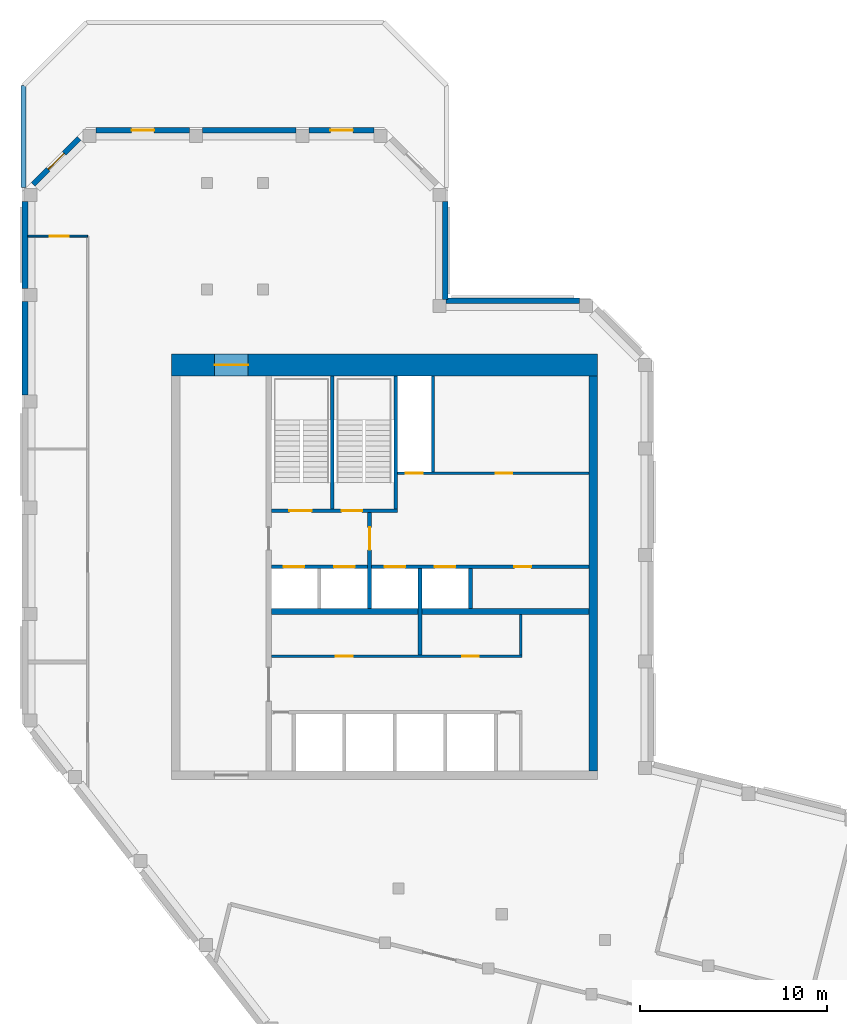
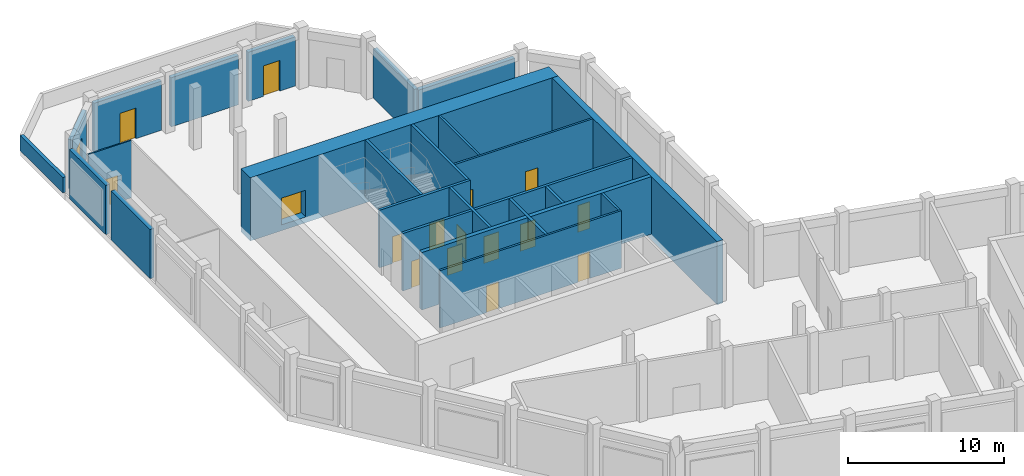
# One storey, part 4 of 6: 24 walls, 17 doors, 17 openings.
"""IFC4 building model written with IfcOpenShell, lengths in metres."""

import ifcopenshell
import ifcopenshell.guid

model = None  # the IFC model being written
_history = None  # IfcOwnerHistory: only IFC2X3 demands one
_inside = {}  # id of a spatial element -> (the spatial element, [elements in it])
_under = {}  # id of a project, library or spatial element -> (it, [spatial elements below it])
_declared = {}  # id of a project -> (the project, [libraries it declares])
_typed = {}  # id of a type object -> (the type object, [elements of that type])
_made_of = {}  # id of a material, layer set ... -> (it, [elements and type objects made of it])


def new_model(schema):
    """Start an empty IFC model of exactly this schema.

    Asked for "IFC4X3", IfcOpenShell would pick the latest addendum, in which some entities
    have other attributes; the version numbers below select the first issue.
    IFC2X3 requires an IfcOwnerHistory on every rooted entity: one is made here for all.
    """
    global model, _history
    if schema == "IFC4X3":
        model = ifcopenshell.file(schema_version=(4, 3, 0, 0))
    else:
        model = ifcopenshell.file(schema=schema)
    _inside.clear()
    _under.clear()
    _declared.clear()
    _typed.clear()
    _made_of.clear()
    _history = None
    if model.schema == "IFC2X3":
        org = make("IfcOrganization", Name="unknown")
        user = make(
            "IfcPersonAndOrganization",
            ThePerson=make("IfcPerson", FamilyName="unknown"),
            TheOrganization=org,
        )
        app = make(
            "IfcApplication",
            ApplicationDeveloper=org,
            Version="unknown",
            ApplicationFullName="unknown",
            ApplicationIdentifier="unknown",
        )
        _history = make(
            "IfcOwnerHistory",
            OwningUser=user,
            OwningApplication=app,
            ChangeAction="ADDED",
            CreationDate=0,
        )
    return model


def make(cls, **values):
    """One entity of the class cls with the attributes given. An attribute that is None is left unset."""
    return model.create_entity(
        cls, **{name: value for name, value in values.items() if value is not None}
    )


def rooted(cls, **values):
    """An entity with a GlobalId (a new one), such as an element, a storey or a relation."""
    return make(cls, GlobalId=ifcopenshell.guid.new(), OwnerHistory=_history, **values)


def si_unit(unit_type, name, prefix=None):
    """IfcSIUnit, for example si_unit("LENGTHUNIT", "METRE", prefix="MILLI")."""
    return make("IfcSIUnit", UnitType=unit_type, Prefix=prefix, Name=name)


def assignment(units):
    """IfcUnitAssignment: the units of a project."""
    return None if units is None else make("IfcUnitAssignment", Units=units)


def point(xyz):
    """IfcCartesianPoint."""
    return None if xyz is None else make("IfcCartesianPoint", Coordinates=xyz)


def direction(xyz):
    """IfcDirection."""
    return None if xyz is None else make("IfcDirection", DirectionRatios=xyz)


def frame(location, z_axis=None, x_axis=None):
    """IfcAxis2Placement3D, a coordinate frame: its origin and axes. An axis left out is left unset."""
    return make(
        "IfcAxis2Placement3D",
        Location=point(location),
        Axis=direction(z_axis),
        RefDirection=direction(x_axis),
    )


def frame_2d(location, x_axis=None):
    """IfcAxis2Placement2D, a coordinate frame in the plane: its origin and x axis."""
    return make(
        "IfcAxis2Placement2D", Location=point(location), RefDirection=direction(x_axis)
    )


def origin():
    """The frame at (0, 0, 0) with its axes left unset."""
    return frame((0.0, 0.0, 0.0))


def place(relative_to, where):
    """IfcLocalPlacement: puts the frame where relative to a parent placement (None: the world)."""
    return make(
        "IfcLocalPlacement", PlacementRelTo=relative_to, RelativePlacement=where
    )


def context(
    kind, dimensions, precision=None, world=None, true_north=None, identifier=None
):
    """IfcGeometricRepresentationContext, for example the 3D "Model" context."""
    return make(
        "IfcGeometricRepresentationContext",
        ContextIdentifier=identifier,
        ContextType=kind,
        CoordinateSpaceDimension=dimensions,
        Precision=precision,
        WorldCoordinateSystem=world,
        TrueNorth=true_north,
    )


def subcontext(parent, identifier, kind, view, scale=None):
    """IfcGeometricRepresentationSubContext, for example "Body" below "Model"."""
    return make(
        "IfcGeometricRepresentationSubContext",
        ContextIdentifier=identifier,
        ContextType=kind,
        ParentContext=parent,
        TargetScale=scale,
        TargetView=view,
    )


def project(units=None, contexts=None):
    """IfcProject with its units and contexts."""
    return rooted(
        "IfcProject",
        Name="project",
        RepresentationContexts=contexts,
        UnitsInContext=assignment(units),
    )


def spatial(cls, under=None, at=None, **own):
    """A site, building, storey or space (cls), placed at a placement, below another one or the project."""
    s = rooted(cls, ObjectPlacement=at, **own)
    if under is not None:
        _under.setdefault(under.id(), (under, []))[1].append(s)
    return s


def profile(cls, at=None, kind="AREA", **sizes):
    """A parametric profile (cls). Its sizes go by their IFC names, for example OverallWidth=200.0."""
    return make(cls, ProfileType=kind, Position=at, **sizes)


def rectangle(**sizes):
    """IfcRectangleProfileDef."""
    return profile("IfcRectangleProfileDef", **sizes)


def extrude(swept, where, along, depth):
    """IfcExtrudedAreaSolid: the profile swept, set in the frame where, extruded along a direction by depth."""
    return make(
        "IfcExtrudedAreaSolid",
        SweptArea=swept,
        Position=where,
        ExtrudedDirection=direction(along),
        Depth=depth,
    )


def shape(context_of_items, identifier, shape_type, items):
    """IfcShapeRepresentation: the items that make up one representation, for example the "Body"."""
    return make(
        "IfcShapeRepresentation",
        ContextOfItems=context_of_items,
        RepresentationIdentifier=identifier,
        RepresentationType=shape_type,
        Items=items,
    )


def material(Name=None, Category=None):
    """IfcMaterial."""
    return make("IfcMaterial", Name=Name, Category=Category)


def layer(
    of_material, thickness, ventilated=None, Name=None, Category=None, Priority=None
):
    """IfcMaterialLayer: one layer of a wall or slab, of a material (None: an air gap)."""
    return make(
        "IfcMaterialLayer",
        Material=of_material,
        LayerThickness=thickness,
        IsVentilated=ventilated,
        Name=Name,
        Category=Category,
        Priority=Priority,
    )


def layer_set(layers, Name=None):
    """IfcMaterialLayerSet."""
    return make("IfcMaterialLayerSet", MaterialLayers=layers, LayerSetName=Name)


def made_of(thing, what):
    """Note that an element or type object is made of a material, layer set ...; save() writes the relation."""
    if what is not None:
        _made_of.setdefault(what.id(), (what, []))[1].append(thing)
    return thing


def type_object(cls, material=None, **own):
    """A type object (cls), such as IfcWallType, which elements share."""
    return made_of(rooted(cls, **own), material)


def element(
    cls,
    number,
    at=None,
    inside=None,
    cuts=None,
    type_object=None,
    material=None,
    context=None,
    identifier="Body",
    shape_type=None,
    held_by="IfcProductDefinitionShape",
    body=None,
    shapes=None,
    **own,
):
    """One element of the class cls, such as IfcWall. Its Tag is "e" and its number.

    at: its placement. inside: the storey or other place that contains it. cuts: it is an
    opening in that element (IfcRelVoidsElement). A single representation is given by context,
    identifier, shape_type and body (its items); several are given by shapes. held_by: the class
    of the entity that holds the representations. save() writes the other relations.
    """
    e = rooted(cls, Tag="e%d" % number, ObjectPlacement=at, **own)
    if body is not None:
        shapes = [shape(context, identifier, shape_type, body)]
    if shapes is not None:
        e.Representation = make(held_by, Representations=shapes)
    if inside is not None:
        _inside.setdefault(inside.id(), (inside, []))[1].append(e)
    if cuts is not None:
        rooted(
            "IfcRelVoidsElement", RelatingBuildingElement=cuts, RelatedOpeningElement=e
        )
    if type_object is not None:
        _typed.setdefault(type_object.id(), (type_object, []))[1].append(e)
    return made_of(e, material)


def fill(opening, filler):
    """IfcRelFillsElement: the door or window that sits in an opening."""
    return rooted(
        "IfcRelFillsElement",
        RelatingOpeningElement=opening,
        RelatedBuildingElement=filler,
    )


def aggregate(whole, parts):
    """IfcRelAggregates: a whole, such as a stair, and the parts it consists of."""
    return rooted("IfcRelAggregates", RelatingObject=whole, RelatedObjects=parts)


def save(model, path):
    """Write the relations noted so far, then the file.

    IfcRelAggregates (storeys below a building ...), IfcRelContainedInSpatialStructure (elements
    in a storey), IfcRelDefinesByType, IfcRelAssociatesMaterial and IfcRelDeclares: one each for
    every whole, place, type object, material and project.
    """
    for whole, parts in _under.values():
        aggregate(whole, parts)
    for where, things in _inside.values():
        rooted(
            "IfcRelContainedInSpatialStructure",
            RelatedElements=things,
            RelatingStructure=where,
        )
    for kind, things in _typed.values():
        rooted("IfcRelDefinesByType", RelatedObjects=things, RelatingType=kind)
    for what, things in _made_of.values():
        rooted("IfcRelAssociatesMaterial", RelatedObjects=things, RelatingMaterial=what)
    for by, libraries in _declared.values():
        rooted("IfcRelDeclares", RelatingContext=by, RelatedDefinitions=libraries)
    model.write(path)


model = new_model("IFC4")

# Units and contexts
model_context = context("Model", 3, precision=1e-05, world=origin(), true_north=direction((0.0, 1.0)))
body_context = subcontext(model_context, "Body", "Model", "MODEL_VIEW")
ifc_project = project(units=[si_unit("LENGTHUNIT", "METRE"), si_unit("AREAUNIT", "SQUARE_METRE"), si_unit("VOLUMEUNIT", "CUBIC_METRE"), si_unit("PLANEANGLEUNIT", "RADIAN"), si_unit("MASSUNIT", "GRAM", prefix="KILO")], contexts=[model_context])

# Site, building, storey
site_placement = place(None, origin())
site = spatial("IfcSite", under=ifc_project, at=site_placement, CompositionType="ELEMENT")
building_placement = place(site_placement, origin())
building = spatial("IfcBuilding", under=site, at=building_placement, Name="Meshkara Civic Tower", CompositionType="ELEMENT")
storey_placement = place(building_placement, frame((0.0, 0.0, 400.199951171875)))
storey = spatial("IfcBuildingStorey", under=building, at=storey_placement, Name="L92 Crown", CompositionType="ELEMENT", Elevation=400.199951171875)

# Walls
ifc_material_1 = material(Name="Insulated infill panel with bronze anodised aluminium cladding", Category="aluminium")
ifc_layer_1 = layer(ifc_material_1, 0.300048828125)
ifc_layer_set_1 = layer_set([ifc_layer_1], Name="CROWN WALL 300")
wall_type_1 = type_object("IfcWallType", Name="CROWN WALL 300", PredefinedType="SOLIDWALL", material=ifc_layer_set_1)
wall_1_placement = place(storey_placement, frame((29.843994140625, 39.75, 0.0), z_axis=(0.0, 0.0, 1.0), x_axis=(-1.0, 0.0, 0.0)))
element("IfcWall", 1, at=wall_1_placement, inside=storey, type_object=wall_type_1, Name="Crown external wall", PredefinedType="SOLIDWALL", context=body_context, shape_type="SweptSolid", body=[
    extrude(rectangle(XDim=7.14404296875, YDim=0.300048828125, at=frame_2d((3.572021484375, 0.0))), origin(), (0.0, 0.0, 1.0), 3.85009765625),
])
wall_2_placement = place(storey_placement, frame((22.64990234375, 39.800048828125, 0.0), z_axis=(0.0, 0.0, 1.0), x_axis=(0.0, 1.0, 0.0)))
element("IfcWall", 2, at=wall_2_placement, inside=storey, type_object=wall_type_1, Name="Crown external wall", PredefinedType="SOLIDWALL", context=body_context, shape_type="SweptSolid", body=[
    extrude(rectangle(XDim=5.263916015625, YDim=0.300048828125, at=frame_2d((2.6318359375, 0.0))), origin(), (0.0, 0.0, 1.0), 3.85009765625),
])

# Wall, opening, door
wall_3_placement = place(storey_placement, frame((18.843994140625, 48.8701171875, 0.0), z_axis=(0.0, 0.0, 1.0), x_axis=(-1.0, 0.0, 0.0)))
wall_3 = element("IfcWall", 3, at=wall_3_placement, inside=storey, type_object=wall_type_1, Name="Crown external wall", PredefinedType="SOLIDWALL", context=body_context, shape_type="SweptSolid", body=[
    extrude(rectangle(XDim=3.488037109375, YDim=0.300048828125, at=frame_2d((1.744140625, 0.0))), origin(), (0.0, 0.0, 1.0), 3.85009765625),
])
opening_1_placement = place(wall_3_placement, frame((1.14404296875, 0.0, 0.0)))
opening_1 = element("IfcOpeningElement", 4, at=opening_1_placement, cuts=wall_3, Name="Opening L92 Crown-L002", PredefinedType="OPENING", context=body_context, shape_type="SweptSolid", body=[
    extrude(rectangle(XDim=1.199951171875, YDim=2.39990234375, at=frame_2d((0.60009765625, 1.199951171875))), frame((0.0, 0.159912109375, 0.0), z_axis=(0.0, -1.0, 0.0), x_axis=(1.0, 0.0, 0.0)), (0.0, 0.0, 1.0), 0.320068359375),
])
ifc_material_2 = material(Name="Steel S355", Category="steel")
door_type_1 = type_object("IfcDoorType", Name="ROOF ACCESS DOOR 1200x2400", OperationType="SINGLE_SWING_LEFT", PredefinedType="DOOR", material=ifc_material_2)
door_1_placement = place(opening_1_placement, origin())
door_1 = element("IfcDoor", 5, at=door_1_placement, inside=storey, type_object=door_type_1, Name="L92 Crown-L002", OperationType="SINGLE_SWING_LEFT", OverallHeight=2.39990234375, OverallWidth=1.199951171875, PredefinedType="DOOR", context=body_context, shape_type="SweptSolid", body=[
    extrude(rectangle(XDim=1.199951171875, YDim=2.39990234375, at=frame_2d((0.60009765625, 1.199951171875))), frame((0.0, 0.02490234375, 0.0), z_axis=(0.0, -1.0, 0.0), x_axis=(1.0, 0.0, 0.0)), (0.0, 0.0, 1.0), 0.050048828125),
])
fill(opening_1, door_1)

# Wall
wall_4_placement = place(storey_placement, frame((14.656005859375, 48.8701171875, 0.0), z_axis=(0.0, 0.0, 1.0), x_axis=(-1.0, 0.0, 0.0)))
element("IfcWall", 6, at=wall_4_placement, inside=storey, type_object=wall_type_1, Name="Crown external wall", PredefinedType="SOLIDWALL", context=body_context, shape_type="SweptSolid", body=[
    extrude(rectangle(XDim=5.0, YDim=0.300048828125, at=frame_2d((2.5, 0.0))), origin(), (0.0, 0.0, 1.0), 3.85009765625),
])

# Wall, opening, door
wall_5_placement = place(storey_placement, frame((8.9560546875, 48.8701171875, 0.0), z_axis=(0.0, 0.0, 1.0), x_axis=(-1.0, 0.0, 0.0)))
wall_5 = element("IfcWall", 7, at=wall_5_placement, inside=storey, type_object=wall_type_1, Name="Crown external wall", PredefinedType="SOLIDWALL", context=body_context, shape_type="SweptSolid", body=[
    extrude(rectangle(XDim=5.0, YDim=0.300048828125, at=frame_2d((2.5, 0.0))), origin(), (0.0, 0.0, 1.0), 3.85009765625),
])
opening_2_placement = place(wall_5_placement, frame((1.89990234375, 0.0, 0.0)))
opening_2 = element("IfcOpeningElement", 8, at=opening_2_placement, cuts=wall_5, Name="Opening L92 Crown-L003", PredefinedType="OPENING", context=body_context, shape_type="SweptSolid", body=[
    extrude(rectangle(XDim=1.199951171875, YDim=2.39990234375, at=frame_2d((0.60009765625, 1.199951171875))), frame((0.0, 0.159912109375, 0.0), z_axis=(0.0, -1.0, 0.0), x_axis=(1.0, 0.0, 0.0)), (0.0, 0.0, 1.0), 0.320068359375),
])
door_2_placement = place(opening_2_placement, origin())
door_2 = element("IfcDoor", 9, at=door_2_placement, inside=storey, type_object=door_type_1, Name="L92 Crown-L003", OperationType="SINGLE_SWING_LEFT", OverallHeight=2.39990234375, OverallWidth=1.199951171875, PredefinedType="DOOR", context=body_context, shape_type="SweptSolid", body=[
    extrude(rectangle(XDim=1.199951171875, YDim=2.39990234375, at=frame_2d((0.60009765625, 1.199951171875))), frame((0.0, 0.02490234375, 0.0), z_axis=(0.0, -1.0, 0.0), x_axis=(1.0, 0.0, 0.0)), (0.0, 0.0, 1.0), 0.050048828125),
])
fill(opening_2, door_2)

wall_6_placement = place(storey_placement, frame((3.0439453125, 48.431884765625, 0.0), z_axis=(0.0, 0.0, 1.0), x_axis=(-0.707141926532, -0.707071634094, 0.0)))
wall_6 = element("IfcWall", 10, at=wall_6_placement, inside=storey, type_object=wall_type_1, Name="Crown external wall", PredefinedType="SOLIDWALL", context=body_context, shape_type="SweptSolid", body=[
    extrude(rectangle(XDim=3.47314453125, YDim=0.300048828125, at=frame_2d((1.736572265625, 0.0))), origin(), (0.0, 0.0, 1.0), 3.85009765625),
])
opening_3_placement = place(wall_6_placement, frame((1.136962890625, 0.0, 0.0)))
opening_3 = element("IfcOpeningElement", 11, at=opening_3_placement, cuts=wall_6, Name="Opening L92 Crown-L004", PredefinedType="OPENING", context=body_context, shape_type="SweptSolid", body=[
    extrude(rectangle(XDim=1.199951171875, YDim=2.39990234375, at=frame_2d((0.60009765625, 1.199951171875))), frame((0.0, 0.159912109375, 0.0), z_axis=(0.0, -1.0, 0.0), x_axis=(1.0, 0.0, 0.0)), (0.0, 0.0, 1.0), 0.320068359375),
])
door_3_placement = place(opening_3_placement, origin())
door_3 = element("IfcDoor", 12, at=door_3_placement, inside=storey, type_object=door_type_1, Name="L92 Crown-L004", OperationType="SINGLE_SWING_LEFT", OverallHeight=2.39990234375, OverallWidth=1.199951171875, PredefinedType="DOOR", context=body_context, shape_type="SweptSolid", body=[
    extrude(rectangle(XDim=1.199951171875, YDim=2.39990234375, at=frame_2d((0.60009765625, 1.199951171875))), frame((0.0, 0.02490234375, 0.0), z_axis=(0.0, -1.0, 0.0), x_axis=(1.0, 0.0, 0.0)), (0.0, 0.0, 1.0), 0.050048828125),
])
fill(opening_3, door_3)

# Walls
wall_7_placement = place(storey_placement, frame((0.14990234375, 45.06396484375, 0.0), z_axis=(0.0, 0.0, 1.0), x_axis=(0.0, -1.0, 0.0)))
element("IfcWall", 13, at=wall_7_placement, inside=storey, type_object=wall_type_1, Name="Crown external wall", PredefinedType="SOLIDWALL", context=body_context, shape_type="SweptSolid", body=[
    extrude(rectangle(XDim=4.658935546875, YDim=0.300048828125, at=frame_2d((2.32958984375, 0.0))), origin(), (0.0, 0.0, 1.0), 3.85009765625),
])
wall_8_placement = place(storey_placement, frame((0.14990234375, 39.705078125, 0.0), z_axis=(0.0, 0.0, 1.0), x_axis=(0.0, -1.0, 0.0)))
element("IfcWall", 14, at=wall_8_placement, inside=storey, type_object=wall_type_1, Name="Crown external wall", PredefinedType="SOLIDWALL", context=body_context, shape_type="SweptSolid", body=[
    extrude(rectangle(XDim=5.0, YDim=0.300048828125, at=frame_2d((2.5, 0.0))), origin(), (0.0, 0.0, 1.0), 3.85009765625),
])

# Wall, openings, doors
ifc_material_3 = material(Name="Blockwork", Category="masonry")
ifc_layer_2 = layer(ifc_material_3, 0.14990234375)
ifc_layer_set_2 = layer_set([ifc_layer_2], Name="Core partition 150")
wall_type_2 = type_object("IfcWallType", Name="Core partition 150", PredefinedType="PARTITIONING", material=ifc_layer_set_2)
wall_9_placement = place(storey_placement, frame((13.35009765625, 20.699951171875, 0.0), z_axis=(0.0, 0.0, 1.0), x_axis=(1.0, 0.0, 0.0)))
wall_9 = element("IfcWall", 15, at=wall_9_placement, inside=storey, type_object=wall_type_2, Name="L92 Crown-C006", PredefinedType="PARTITIONING", context=body_context, shape_type="SweptSolid", body=[
    extrude(rectangle(XDim=13.4248046875, YDim=0.14990234375, at=frame_2d((6.71240234375, 0.0))), origin(), (0.0, 0.0, 1.0), 4.5),
])
opening_4_placement = place(wall_9_placement, frame((3.449951171875, 0.0, 0.0)))
opening_4 = element("IfcOpeningElement", 16, at=opening_4_placement, cuts=wall_9, Name="Opening L92 Crown-K007", PredefinedType="OPENING", context=body_context, shape_type="SweptSolid", body=[
    extrude(rectangle(XDim=0.89990234375, YDim=2.10009765625, at=frame_2d((0.449951171875, 1.050048828125))), frame((0.0, 0.0849609375, 0.0), z_axis=(0.0, -1.0, 0.0), x_axis=(1.0, 0.0, 0.0)), (0.0, 0.0, 1.0), 0.169921875),
])
opening_5_placement = place(wall_9_placement, frame((10.199951171875, 0.0, 0.0)))
opening_5 = element("IfcOpeningElement", 17, at=opening_5_placement, cuts=wall_9, Name="Opening L92 Crown-K008", PredefinedType="OPENING", context=body_context, shape_type="SweptSolid", body=[
    extrude(rectangle(XDim=0.89990234375, YDim=2.10009765625, at=frame_2d((0.449951171875, 1.050048828125))), frame((0.0, 0.0849609375, 0.0), z_axis=(0.0, -1.0, 0.0), x_axis=(1.0, 0.0, 0.0)), (0.0, 0.0, 1.0), 0.169921875),
])
ifc_material_4 = material(Name="Timber door leaf in steel frame", Category="steel")
door_type_2 = type_object("IfcDoorType", Name="Core room door 900", OperationType="SINGLE_SWING_LEFT", PredefinedType="DOOR", material=ifc_material_4)
door_4_placement = place(opening_4_placement, origin())
door_4 = element("IfcDoor", 18, at=door_4_placement, inside=storey, type_object=door_type_2, Name="L92 Crown-K007", OperationType="SINGLE_SWING_RIGHT", OverallHeight=2.10009765625, OverallWidth=0.89990234375, PredefinedType="DOOR", context=body_context, shape_type="SweptSolid", body=[
    extrude(rectangle(XDim=0.89990234375, YDim=2.10009765625, at=frame_2d((0.449951171875, 1.050048828125))), frame((0.0, 0.02490234375, 0.0), z_axis=(0.0, -1.0, 0.0), x_axis=(1.0, 0.0, 0.0)), (0.0, 0.0, 1.0), 0.050048828125),
])
fill(opening_4, door_4)
door_5_placement = place(opening_5_placement, origin())
door_5 = element("IfcDoor", 19, at=door_5_placement, inside=storey, type_object=door_type_2, Name="L92 Crown-K008", OperationType="SINGLE_SWING_RIGHT", OverallHeight=2.10009765625, OverallWidth=0.89990234375, PredefinedType="DOOR", context=body_context, shape_type="SweptSolid", body=[
    extrude(rectangle(XDim=0.89990234375, YDim=2.10009765625, at=frame_2d((0.449951171875, 1.050048828125))), frame((0.0, 0.02490234375, 0.0), z_axis=(0.0, -1.0, 0.0), x_axis=(1.0, 0.0, 0.0)), (0.0, 0.0, 1.0), 0.050048828125),
])
fill(opening_5, door_5)

wall_10_placement = place(storey_placement, frame((20.10009765625, 30.5, 0.0), z_axis=(0.0, 0.0, 1.0), x_axis=(1.0, 0.0, 0.0)))
wall_10 = element("IfcWall", 20, at=wall_10_placement, inside=storey, type_object=wall_type_2, Name="L92 Crown-C010", PredefinedType="PARTITIONING", context=body_context, shape_type="SweptSolid", body=[
    extrude(rectangle(XDim=10.25, YDim=0.14990234375, at=frame_2d((5.125, 0.0))), origin(), (0.0, 0.0, 1.0), 4.5),
])
opening_6_placement = place(wall_10_placement, frame((0.449951171875, 0.0, 0.0)))
opening_6 = element("IfcOpeningElement", 21, at=opening_6_placement, cuts=wall_10, Name="Opening L92 Crown-K010", PredefinedType="OPENING", context=body_context, shape_type="SweptSolid", body=[
    extrude(rectangle(XDim=0.89990234375, YDim=2.10009765625, at=frame_2d((0.449951171875, 1.050048828125))), frame((0.0, 0.0849609375, 0.0), z_axis=(0.0, -1.0, 0.0), x_axis=(1.0, 0.0, 0.0)), (0.0, 0.0, 1.0), 0.169921875),
])
opening_7_placement = place(wall_10_placement, frame((5.25, 0.0, 0.0)))
opening_7 = element("IfcOpeningElement", 22, at=opening_7_placement, cuts=wall_10, Name="Opening L92 Crown-K011", PredefinedType="OPENING", context=body_context, shape_type="SweptSolid", body=[
    extrude(rectangle(XDim=0.89990234375, YDim=2.10009765625, at=frame_2d((0.449951171875, 1.050048828125))), frame((0.0, 0.0849609375, 0.0), z_axis=(0.0, -1.0, 0.0), x_axis=(1.0, 0.0, 0.0)), (0.0, 0.0, 1.0), 0.169921875),
])
door_6_placement = place(opening_7_placement, origin())
door_6 = element("IfcDoor", 23, at=door_6_placement, inside=storey, type_object=door_type_2, Name="L92 Crown-K011", OperationType="SINGLE_SWING_LEFT", OverallHeight=2.10009765625, OverallWidth=0.89990234375, PredefinedType="DOOR", context=body_context, shape_type="SweptSolid", body=[
    extrude(rectangle(XDim=0.89990234375, YDim=2.10009765625, at=frame_2d((0.449951171875, 1.050048828125))), frame((0.0, 0.02490234375, 0.0), z_axis=(0.0, -1.0, 0.0), x_axis=(1.0, 0.0, 0.0)), (0.0, 0.0, 1.0), 0.050048828125),
])
fill(opening_7, door_6)
ifc_material_5 = material(Name="Fire-rated door leaf in steel frame", Category="steel")
door_type_3 = type_object("IfcDoorType", Name="Riser door 900", OperationType="SINGLE_SWING_LEFT", PredefinedType="DOOR", material=ifc_material_5)
door_7_placement = place(opening_6_placement, origin())
door_7 = element("IfcDoor", 24, at=door_7_placement, inside=storey, type_object=door_type_3, Name="L92 Crown-K010", OperationType="SINGLE_SWING_RIGHT", OverallHeight=2.10009765625, OverallWidth=0.89990234375, PredefinedType="DOOR", context=body_context, shape_type="SweptSolid", body=[
    extrude(rectangle(XDim=0.89990234375, YDim=2.10009765625, at=frame_2d((0.449951171875, 1.050048828125))), frame((0.0, 0.02490234375, 0.0), z_axis=(0.0, -1.0, 0.0), x_axis=(1.0, 0.0, 0.0)), (0.0, 0.0, 1.0), 0.050048828125),
])
fill(opening_6, door_7)

# Walls
wall_11_placement = place(storey_placement, frame((22.0, 30.574951171875, 0.0), z_axis=(0.0, 0.0, 1.0), x_axis=(0.0, 1.0, 0.0)))
element("IfcWall", 25, at=wall_11_placement, inside=storey, type_object=wall_type_2, Name="L92 Crown-C020", PredefinedType="PARTITIONING", context=body_context, shape_type="SweptSolid", body=[
    extrude(rectangle(XDim=5.125, YDim=0.14990234375, at=frame_2d((2.5625, 0.0))), origin(), (0.0, 0.0, 1.0), 4.5),
])
wall_12_placement = place(storey_placement, frame((26.699951171875, 20.77490234375, 0.0), z_axis=(0.0, 0.0, 1.0), x_axis=(0.0, 1.0, 0.0)))
element("IfcWall", 26, at=wall_12_placement, inside=storey, type_object=wall_type_2, Name="L92 Crown-C025", PredefinedType="PARTITIONING", context=body_context, shape_type="SweptSolid", body=[
    extrude(rectangle(XDim=2.175048828125, YDim=0.14990234375, at=frame_2d((1.08740234375, 0.0))), origin(), (0.0, 0.0, 1.0), 4.5),
])

# Wall, opening, door
ifc_material_6 = material(Name="Concrete C50", Category="concrete")
ifc_layer_3 = layer(ifc_material_6, 1.199951171875)
ifc_layer_set_3 = layer_set([ifc_layer_3], Name="Core ring wall 1200 C50")
wall_type_3 = type_object("IfcWallType", Name="Core ring wall 1200 C50", PredefinedType="SHEAR", material=ifc_layer_set_3)
wall_13_placement = place(storey_placement, frame((8.0, 36.300048828125, -0.449951171875), z_axis=(0.0, 0.0, 1.0), x_axis=(1.0, 0.0, 0.0)))
wall_13 = element("IfcWall", 27, at=wall_13_placement, inside=storey, type_object=wall_type_3, Name="L92 Crown-C002", PredefinedType="SHEAR", context=body_context, shape_type="SweptSolid", body=[
    extrude(rectangle(XDim=22.800048828125, YDim=1.199951171875, at=frame_2d((11.39990234375, 0.0))), origin(), (0.0, 0.0, 1.0), 4.949951171875),
])
opening_8_placement = place(wall_13_placement, frame((2.300048828125, 0.0, 0.449951171875)))
opening_8 = element("IfcOpeningElement", 28, at=opening_8_placement, cuts=wall_13, Name="Opening L92 Crown-K017", PredefinedType="OPENING", context=body_context, shape_type="SweptSolid", body=[
    extrude(rectangle(XDim=1.800048828125, YDim=2.10009765625, at=frame_2d((0.89990234375, 1.050048828125))), frame((0.0, 0.60986328125, 0.0), z_axis=(0.0, -1.0, 0.0), x_axis=(1.0, 0.0, 0.0)), (0.0, 0.0, 1.0), 1.219970703125),
])
ifc_material_7 = material(Name="Fire-rated door leaf in steel frame", Category="steel")
door_type_4 = type_object("IfcDoorType", Name="Core double door 1800 EI 60", OperationType="DOUBLE_DOOR_SINGLE_SWING", PredefinedType="DOOR", material=ifc_material_7)
door_8_placement = place(opening_8_placement, origin())
door_8 = element("IfcDoor", 29, at=door_8_placement, inside=storey, type_object=door_type_4, Name="L92 Crown-K017", OperationType="DOUBLE_DOOR_SINGLE_SWING", OverallHeight=2.10009765625, OverallWidth=1.800048828125, PredefinedType="DOOR", context=body_context, shape_type="SweptSolid", body=[
    extrude(rectangle(XDim=1.800048828125, YDim=2.10009765625, at=frame_2d((0.89990234375, 1.050048828125))), frame((0.0, 0.02490234375, 0.0), z_axis=(0.0, -1.0, 0.0), x_axis=(1.0, 0.0, 0.0)), (0.0, 0.0, 1.0), 0.050048828125),
])
fill(opening_8, door_8)

# Walls
ifc_material_8 = material(Name="Concrete C50", Category="concrete")
ifc_layer_4 = layer(ifc_material_8, 0.449951171875)
ifc_layer_set_4 = layer_set([ifc_layer_4], Name="Core ring wall 450 C50")
wall_type_4 = type_object("IfcWallType", Name="Core ring wall 450 C50", PredefinedType="SHEAR", material=ifc_layer_set_4)
wall_14_placement = place(storey_placement, frame((30.574951171875, 14.550048828125, -0.449951171875), z_axis=(0.0, 0.0, 1.0), x_axis=(0.0, 1.0, 0.0)))
element("IfcWall", 30, at=wall_14_placement, inside=storey, type_object=wall_type_4, Name="L92 Crown-C004", PredefinedType="SHEAR", context=body_context, shape_type="SweptSolid", body=[
    extrude(rectangle(XDim=21.14990234375, YDim=0.449951171875, at=frame_2d((10.574951171875, 0.0))), origin(), (0.0, 0.0, 1.0), 4.949951171875),
])
ifc_material_9 = material(Name="Concrete C50", Category="concrete")
ifc_layer_5 = layer(ifc_material_9, 0.300048828125)
ifc_layer_set_5 = layer_set([ifc_layer_5], Name="Core shear wall 300 C50")
wall_type_5 = type_object("IfcWallType", Name="Core shear wall 300 C50", PredefinedType="SHEAR", material=ifc_layer_set_5)
wall_15_placement = place(storey_placement, frame((13.35009765625, 23.10009765625, 0.0), z_axis=(0.0, 0.0, 1.0), x_axis=(1.0, 0.0, 0.0)))
element("IfcWall", 31, at=wall_15_placement, inside=storey, type_object=wall_type_5, Name="L92 Crown-C007", PredefinedType="SHEAR", context=body_context, shape_type="SweptSolid", body=[
    extrude(rectangle(XDim=17.0, YDim=0.300048828125, at=frame_2d((8.5, 0.0))), origin(), (0.0, 0.0, 1.0), 4.5),
])

# Wall, opening, door
ifc_material_10 = material(Name="Corridor wall 100")
ifc_layer_6 = layer(ifc_material_10, 0.10009765625)
ifc_layer_set_6 = layer_set([ifc_layer_6], Name="Corridor wall 100")
wall_type_6 = type_object("IfcWallType", Name="Corridor wall 100", PredefinedType="PARTITIONING", material=ifc_layer_set_6)
wall_16_placement = place(storey_placement, frame((0.300048828125, 43.199951171875, 0.0), z_axis=(0.0, 0.0, 1.0), x_axis=(1.0, 0.0, 0.0)))
wall_16 = element("IfcWall", 32, at=wall_16_placement, inside=storey, type_object=wall_type_6, Name="L92 Crown-R001", PredefinedType="PARTITIONING", context=body_context, shape_type="SweptSolid", body=[
    extrude(rectangle(XDim=3.199951171875, YDim=0.10009765625, at=frame_2d((1.60009765625, 0.0))), origin(), (0.0, 0.0, 1.0), 4.5),
])
opening_9_placement = place(wall_16_placement, frame((1.179931640625, 0.0, 0.0)))
opening_9 = element("IfcOpeningElement", 33, at=opening_9_placement, cuts=wall_16, Name="Opening L92 Crown-P007", PredefinedType="OPENING", context=body_context, shape_type="SweptSolid", body=[
    extrude(rectangle(XDim=1.0, YDim=2.10009765625, at=frame_2d((0.5, 1.050048828125))), frame((0.0, 0.06005859375, 0.0), z_axis=(0.0, -1.0, 0.0), x_axis=(1.0, 0.0, 0.0)), (0.0, 0.0, 1.0), 0.1201171875),
])
ifc_material_11 = material(Name="Door 1000 x 2100")
door_type_5 = type_object("IfcDoorType", Name="Door 1000 x 2100", OperationType="SINGLE_SWING_LEFT", PredefinedType="DOOR", material=ifc_material_11)
door_9_placement = place(opening_9_placement, origin())
door_9 = element("IfcDoor", 34, at=door_9_placement, inside=storey, type_object=door_type_5, Name="L92 Crown-P007", OperationType="SINGLE_SWING_LEFT", OverallHeight=2.10009765625, OverallWidth=1.0, PredefinedType="DOOR", context=body_context, shape_type="SweptSolid", body=[
    extrude(rectangle(XDim=1.0, YDim=2.10009765625, at=frame_2d((0.5, 1.050048828125))), frame((0.0, 0.02490234375, 0.0), z_axis=(0.0, -1.0, 0.0), x_axis=(1.0, 0.0, 0.0)), (0.0, 0.0, 1.0), 0.050048828125),
])
fill(opening_9, door_9)

# Wall
ifc_material_12 = material(Name="Concrete C40", Category="concrete")
ifc_layer_7 = layer(ifc_material_12, 0.25)
ifc_layer_set_7 = layer_set([ifc_layer_7], Name="ROOF PARAPET 250")
wall_type_7 = type_object("IfcWallType", Name="ROOF PARAPET 250", PredefinedType="PARAPET", material=ifc_layer_set_7)
wall_17_placement = place(storey_placement, frame((0.070068359375, 45.81103515625, 0.0), z_axis=(0.0, 0.0, 1.0), x_axis=(0.0, 1.0, 0.0)))
element("IfcWall", 35, at=wall_17_placement, inside=storey, type_object=wall_type_7, Name="Roof parapet", PredefinedType="PARAPET", context=body_context, shape_type="SweptSolid", body=[
    extrude(rectangle(XDim=5.4599609375, YDim=0.25, at=frame_2d((2.72998046875, 0.0))), origin(), (0.0, 0.0, 1.0), 1.199951171875),
])

# Wall, openings, doors
ifc_material_13 = material(Name="Concrete C40/50", Category="concrete")
ifc_layer_8 = layer(ifc_material_13, 0.199951171875)
ifc_layer_set_8 = layer_set([ifc_layer_8], Name="Shaft wall 200 C40/50")
wall_type_8 = type_object("IfcWallType", Name="Shaft wall 200 C40/50", PredefinedType="SOLIDWALL", material=ifc_layer_set_8)
wall_18_placement = place(storey_placement, frame((13.35009765625, 25.5, 0.0), z_axis=(0.0, 0.0, 1.0), x_axis=(1.0, 0.0, 0.0)))
wall_18 = element("IfcWall", 36, at=wall_18_placement, inside=storey, type_object=wall_type_8, Name="L92 Crown-C008", PredefinedType="SOLIDWALL", context=body_context, shape_type="SweptSolid", body=[
    extrude(rectangle(XDim=17.0, YDim=0.199951171875, at=frame_2d((8.5, 0.0))), origin(), (0.0, 0.0, 1.0), 4.5),
])
opening_10_placement = place(wall_18_placement, frame((0.64990234375, 0.0, 0.0)))
opening_10 = element("IfcOpeningElement", 37, at=opening_10_placement, cuts=wall_18, Name="Opening L92 Crown-K001", PredefinedType="OPENING", context=body_context, shape_type="SweptSolid", body=[
    extrude(rectangle(XDim=1.10009765625, YDim=2.10009765625, at=frame_2d((0.550048828125, 1.050048828125))), frame((0.0, 0.10986328125, 0.0), z_axis=(0.0, -1.0, 0.0), x_axis=(1.0, 0.0, 0.0)), (0.0, 0.0, 1.0), 0.219970703125),
])
opening_11_placement = place(wall_18_placement, frame((3.35009765625, 0.0, 0.0)))
opening_11 = element("IfcOpeningElement", 38, at=opening_11_placement, cuts=wall_18, Name="Opening L92 Crown-K002", PredefinedType="OPENING", context=body_context, shape_type="SweptSolid", body=[
    extrude(rectangle(XDim=1.10009765625, YDim=2.10009765625, at=frame_2d((0.550048828125, 1.050048828125))), frame((0.0, 0.10986328125, 0.0), z_axis=(0.0, -1.0, 0.0), x_axis=(1.0, 0.0, 0.0)), (0.0, 0.0, 1.0), 0.219970703125),
])
opening_12_placement = place(wall_18_placement, frame((6.050048828125, 0.0, 0.0)))
opening_12 = element("IfcOpeningElement", 39, at=opening_12_placement, cuts=wall_18, Name="Opening L92 Crown-K003", PredefinedType="OPENING", context=body_context, shape_type="SweptSolid", body=[
    extrude(rectangle(XDim=1.10009765625, YDim=2.10009765625, at=frame_2d((0.550048828125, 1.050048828125))), frame((0.0, 0.10986328125, 0.0), z_axis=(0.0, -1.0, 0.0), x_axis=(1.0, 0.0, 0.0)), (0.0, 0.0, 1.0), 0.219970703125),
])
opening_13_placement = place(wall_18_placement, frame((8.75, 0.0, 0.0)))
opening_13 = element("IfcOpeningElement", 40, at=opening_13_placement, cuts=wall_18, Name="Opening L92 Crown-K004", PredefinedType="OPENING", context=body_context, shape_type="SweptSolid", body=[
    extrude(rectangle(XDim=1.10009765625, YDim=2.10009765625, at=frame_2d((0.550048828125, 1.050048828125))), frame((0.0, 0.10986328125, 0.0), z_axis=(0.0, -1.0, 0.0), x_axis=(1.0, 0.0, 0.0)), (0.0, 0.0, 1.0), 0.219970703125),
])
opening_14_placement = place(wall_18_placement, frame((13.0, 0.0, 0.0)))
opening_14 = element("IfcOpeningElement", 41, at=opening_14_placement, cuts=wall_18, Name="Opening L92 Crown-K009", PredefinedType="OPENING", context=body_context, shape_type="SweptSolid", body=[
    extrude(rectangle(XDim=0.89990234375, YDim=2.10009765625, at=frame_2d((0.449951171875, 1.050048828125))), frame((0.0, 0.10986328125, 0.0), z_axis=(0.0, -1.0, 0.0), x_axis=(1.0, 0.0, 0.0)), (0.0, 0.0, 1.0), 0.219970703125),
])
door_10_placement = place(opening_14_placement, origin())
door_10 = element("IfcDoor", 42, at=door_10_placement, inside=storey, type_object=door_type_2, Name="L92 Crown-K009", OperationType="SINGLE_SWING_LEFT", OverallHeight=2.10009765625, OverallWidth=0.89990234375, PredefinedType="DOOR", context=body_context, shape_type="SweptSolid", body=[
    extrude(rectangle(XDim=0.89990234375, YDim=2.10009765625, at=frame_2d((0.449951171875, 1.050048828125))), frame((0.0, 0.02490234375, 0.0), z_axis=(0.0, -1.0, 0.0), x_axis=(1.0, 0.0, 0.0)), (0.0, 0.0, 1.0), 0.050048828125),
])
fill(opening_14, door_10)
ifc_material_14 = material(Name="Stainless steel landing door", Category="steel")
door_type_6 = type_object("IfcDoorType", Name="Lift landing door 1100", OperationType="SLIDING_TO_LEFT", PredefinedType="DOOR", material=ifc_material_14)
door_11_placement = place(opening_10_placement, origin())
door_11 = element("IfcDoor", 43, at=door_11_placement, inside=storey, type_object=door_type_6, Name="L92 Crown-K001", OperationType="SLIDING_TO_LEFT", OverallHeight=2.10009765625, OverallWidth=1.10009765625, PredefinedType="DOOR", context=body_context, shape_type="SweptSolid", body=[
    extrude(rectangle(XDim=1.10009765625, YDim=2.10009765625, at=frame_2d((0.550048828125, 1.050048828125))), frame((0.0, 0.02490234375, 0.0), z_axis=(0.0, -1.0, 0.0), x_axis=(1.0, 0.0, 0.0)), (0.0, 0.0, 1.0), 0.050048828125),
])
fill(opening_10, door_11)
door_12_placement = place(opening_11_placement, origin())
door_12 = element("IfcDoor", 44, at=door_12_placement, inside=storey, type_object=door_type_6, Name="L92 Crown-K002", OperationType="SLIDING_TO_LEFT", OverallHeight=2.10009765625, OverallWidth=1.10009765625, PredefinedType="DOOR", context=body_context, shape_type="SweptSolid", body=[
    extrude(rectangle(XDim=1.10009765625, YDim=2.10009765625, at=frame_2d((0.550048828125, 1.050048828125))), frame((0.0, 0.02490234375, 0.0), z_axis=(0.0, -1.0, 0.0), x_axis=(1.0, 0.0, 0.0)), (0.0, 0.0, 1.0), 0.050048828125),
])
fill(opening_11, door_12)
door_13_placement = place(opening_12_placement, origin())
door_13 = element("IfcDoor", 45, at=door_13_placement, inside=storey, type_object=door_type_6, Name="L92 Crown-K003", OperationType="SLIDING_TO_LEFT", OverallHeight=2.10009765625, OverallWidth=1.10009765625, PredefinedType="DOOR", context=body_context, shape_type="SweptSolid", body=[
    extrude(rectangle(XDim=1.10009765625, YDim=2.10009765625, at=frame_2d((0.550048828125, 1.050048828125))), frame((0.0, 0.02490234375, 0.0), z_axis=(0.0, -1.0, 0.0), x_axis=(1.0, 0.0, 0.0)), (0.0, 0.0, 1.0), 0.050048828125),
])
fill(opening_12, door_13)
door_14_placement = place(opening_13_placement, origin())
door_14 = element("IfcDoor", 46, at=door_14_placement, inside=storey, type_object=door_type_6, Name="L92 Crown-K004", OperationType="SLIDING_TO_LEFT", OverallHeight=2.10009765625, OverallWidth=1.10009765625, PredefinedType="DOOR", context=body_context, shape_type="SweptSolid", body=[
    extrude(rectangle(XDim=1.10009765625, YDim=2.10009765625, at=frame_2d((0.550048828125, 1.050048828125))), frame((0.0, 0.02490234375, 0.0), z_axis=(0.0, -1.0, 0.0), x_axis=(1.0, 0.0, 0.0)), (0.0, 0.0, 1.0), 0.050048828125),
])
fill(opening_13, door_14)

# Wall, opening, door
wall_19_placement = place(storey_placement, frame((18.60009765625, 23.25, 0.0), z_axis=(0.0, 0.0, 1.0), x_axis=(0.0, 1.0, 0.0)))
wall_19 = element("IfcWall", 47, at=wall_19_placement, inside=storey, type_object=wall_type_8, Name="L92 Crown-C016", PredefinedType="SOLIDWALL", context=body_context, shape_type="SweptSolid", body=[
    extrude(rectangle(XDim=5.14990234375, YDim=0.199951171875, at=frame_2d((2.574951171875, 0.0))), origin(), (0.0, 0.0, 1.0), 4.5),
])
opening_15_placement = place(wall_19_placement, frame((3.14990234375, 0.0, 0.0)))
opening_15 = element("IfcOpeningElement", 48, at=opening_15_placement, cuts=wall_19, Name="Opening L92 Crown-K016", PredefinedType="OPENING", context=body_context, shape_type="SweptSolid", body=[
    extrude(rectangle(XDim=1.199951171875, YDim=2.10009765625, at=frame_2d((0.60009765625, 1.050048828125))), frame((0.0, 0.10986328125, 0.0), z_axis=(0.0, -1.0, 0.0), x_axis=(1.0, 0.0, 0.0)), (0.0, 0.0, 1.0), 0.219970703125),
])
ifc_material_15 = material(Name="Fire-rated door leaf in steel frame", Category="steel")
door_type_7 = type_object("IfcDoorType", Name="Fire-fighting lobby door 1200 EI 120", OperationType="SINGLE_SWING_LEFT", PredefinedType="DOOR", material=ifc_material_15)
door_15_placement = place(opening_15_placement, origin())
door_15 = element("IfcDoor", 49, at=door_15_placement, inside=storey, type_object=door_type_7, Name="L92 Crown-K016", OperationType="SINGLE_SWING_RIGHT", OverallHeight=2.10009765625, OverallWidth=1.199951171875, PredefinedType="DOOR", context=body_context, shape_type="SweptSolid", body=[
    extrude(rectangle(XDim=1.199951171875, YDim=2.10009765625, at=frame_2d((0.60009765625, 1.050048828125))), frame((0.0, 0.02490234375, 0.0), z_axis=(0.0, -1.0, 0.0), x_axis=(1.0, 0.0, 0.0)), (0.0, 0.0, 1.0), 0.050048828125),
])
fill(opening_15, door_15)

# Walls
wall_20_placement = place(storey_placement, frame((21.300048828125, 20.77490234375, 0.0), z_axis=(0.0, 0.0, 1.0), x_axis=(0.0, 1.0, 0.0)))
element("IfcWall", 50, at=wall_20_placement, inside=storey, type_object=wall_type_8, Name="L92 Crown-C019", PredefinedType="SOLIDWALL", context=body_context, shape_type="SweptSolid", body=[
    extrude(rectangle(XDim=4.625, YDim=0.199951171875, at=frame_2d((2.3125, 0.0))), origin(), (0.0, 0.0, 1.0), 4.5),
])
wall_21_placement = place(storey_placement, frame((24.0, 23.25, 0.0), z_axis=(0.0, 0.0, 1.0), x_axis=(0.0, 1.0, 0.0)))
element("IfcWall", 51, at=wall_21_placement, inside=storey, type_object=wall_type_8, Name="L92 Crown-C022", PredefinedType="SOLIDWALL", context=body_context, shape_type="SweptSolid", body=[
    extrude(rectangle(XDim=2.14990234375, YDim=0.199951171875, at=frame_2d((1.074951171875, 0.0))), origin(), (0.0, 0.0, 1.0), 4.5),
])

# Wall, openings, doors
ifc_material_16 = material(Name="Concrete C40/50", Category="concrete")
ifc_layer_9 = layer(ifc_material_16, 0.199951171875)
ifc_layer_set_9 = layer_set([ifc_layer_9], Name="Stair enclosure wall 200 C40/50")
wall_type_9 = type_object("IfcWallType", Name="Stair enclosure wall 200 C40/50", PredefinedType="SOLIDWALL", material=ifc_layer_set_9)
wall_22_placement = place(storey_placement, frame((13.35009765625, 28.5, 0.0), z_axis=(0.0, 0.0, 1.0), x_axis=(1.0, 0.0, 0.0)))
wall_22 = element("IfcWall", 52, at=wall_22_placement, inside=storey, type_object=wall_type_9, Name="L92 Crown-C009", PredefinedType="SOLIDWALL", context=body_context, shape_type="SweptSolid", body=[
    extrude(rectangle(XDim=6.75, YDim=0.199951171875, at=frame_2d((3.375, 0.0))), origin(), (0.0, 0.0, 1.0), 4.5),
])
opening_16_placement = place(wall_22_placement, frame((0.949951171875, 0.0, 0.0)))
opening_16 = element("IfcOpeningElement", 53, at=opening_16_placement, cuts=wall_22, Name="Opening L92 Crown-K012", PredefinedType="OPENING", context=body_context, shape_type="SweptSolid", body=[
    extrude(rectangle(XDim=1.199951171875, YDim=2.10009765625, at=frame_2d((0.60009765625, 1.050048828125))), frame((0.0, 0.10986328125, 0.0), z_axis=(0.0, -1.0, 0.0), x_axis=(1.0, 0.0, 0.0)), (0.0, 0.0, 1.0), 0.219970703125),
])
opening_17_placement = place(wall_22_placement, frame((3.75, 0.0, 0.0)))
opening_17 = element("IfcOpeningElement", 54, at=opening_17_placement, cuts=wall_22, Name="Opening L92 Crown-K013", PredefinedType="OPENING", context=body_context, shape_type="SweptSolid", body=[
    extrude(rectangle(XDim=1.10009765625, YDim=2.10009765625, at=frame_2d((0.550048828125, 1.050048828125))), frame((0.0, 0.10986328125, 0.0), z_axis=(0.0, -1.0, 0.0), x_axis=(1.0, 0.0, 0.0)), (0.0, 0.0, 1.0), 0.219970703125),
])
ifc_material_17 = material(Name="Fire-rated door leaf in steel frame", Category="steel")
door_type_8 = type_object("IfcDoorType", Name="Stair door 1100 EI 120", OperationType="SINGLE_SWING_LEFT", PredefinedType="DOOR", material=ifc_material_17)
door_16_placement = place(opening_17_placement, origin())
door_16 = element("IfcDoor", 55, at=door_16_placement, inside=storey, type_object=door_type_8, Name="L92 Crown-K013", OperationType="SINGLE_SWING_LEFT", OverallHeight=2.10009765625, OverallWidth=1.10009765625, PredefinedType="DOOR", context=body_context, shape_type="SweptSolid", body=[
    extrude(rectangle(XDim=1.10009765625, YDim=2.10009765625, at=frame_2d((0.550048828125, 1.050048828125))), frame((0.0, 0.02490234375, 0.0), z_axis=(0.0, -1.0, 0.0), x_axis=(1.0, 0.0, 0.0)), (0.0, 0.0, 1.0), 0.050048828125),
])
fill(opening_17, door_16)
ifc_material_18 = material(Name="Fire-rated door leaf in steel frame", Category="steel")
door_type_9 = type_object("IfcDoorType", Name="Stair door 1200 EI 120", OperationType="SINGLE_SWING_LEFT", PredefinedType="DOOR", material=ifc_material_18)
door_17_placement = place(opening_16_placement, origin())
door_17 = element("IfcDoor", 56, at=door_17_placement, inside=storey, type_object=door_type_9, Name="L92 Crown-K012", OperationType="SINGLE_SWING_RIGHT", OverallHeight=2.10009765625, OverallWidth=1.199951171875, PredefinedType="DOOR", context=body_context, shape_type="SweptSolid", body=[
    extrude(rectangle(XDim=1.199951171875, YDim=2.10009765625, at=frame_2d((0.60009765625, 1.050048828125))), frame((0.0, 0.02490234375, 0.0), z_axis=(0.0, -1.0, 0.0), x_axis=(1.0, 0.0, 0.0)), (0.0, 0.0, 1.0), 0.050048828125),
])
fill(opening_16, door_17)

# Walls
for number, where, z_axis, x_axis, name in (
    (57, (16.60009765625, 28.60009765625, 0.0), (0.0, 0.0, 1.0), (0.0, 1.0, 0.0), "L92 Crown-C014"),
    (58, (20.0, 28.60009765625, 0.0), (0.0, 0.0, 1.0), (0.0, 1.0, 0.0), "L92 Crown-C018"),
):
    element("IfcWall", number, at=place(storey_placement, frame(where, z_axis=z_axis, x_axis=x_axis)), inside=storey, type_object=wall_type_9, Name=name, PredefinedType="SOLIDWALL", context=body_context, shape_type="SweptSolid", body=[
        extrude(rectangle(XDim=7.099853515625, YDim=0.199951171875, at=frame_2d((3.5498046875, 0.0))), origin(), (0.0, 0.0, 1.0), 4.5),
    ])

save(model, "model.ifc")
